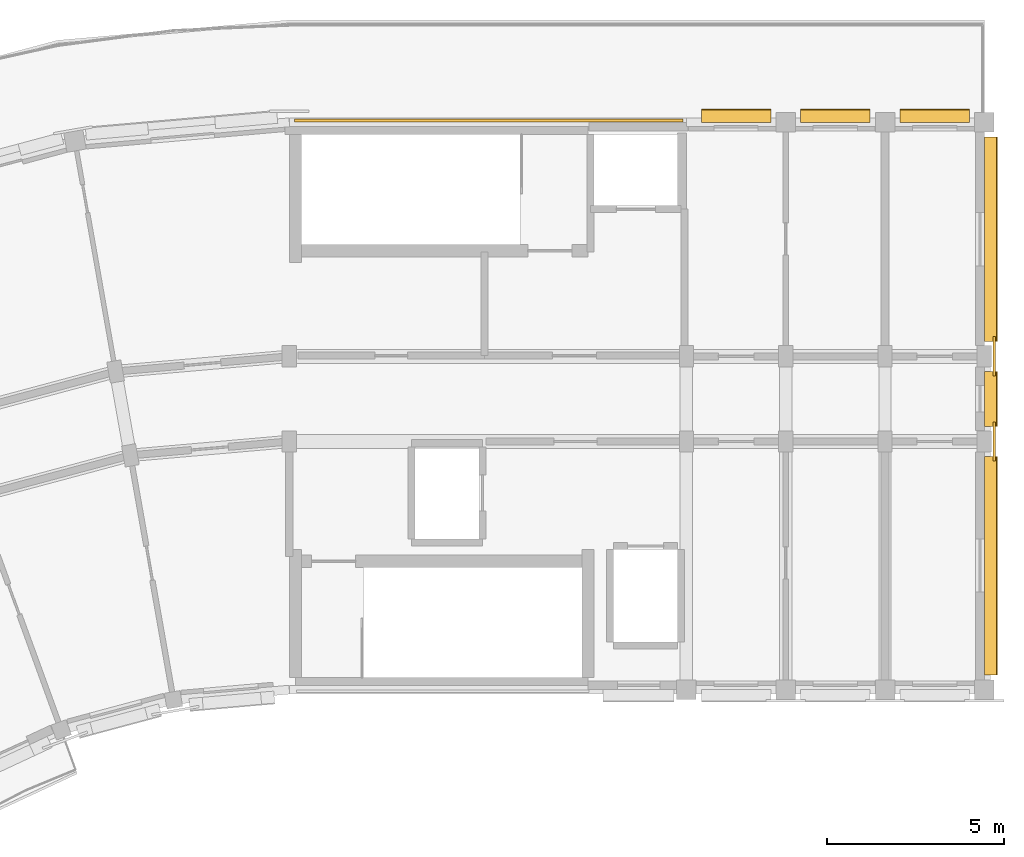
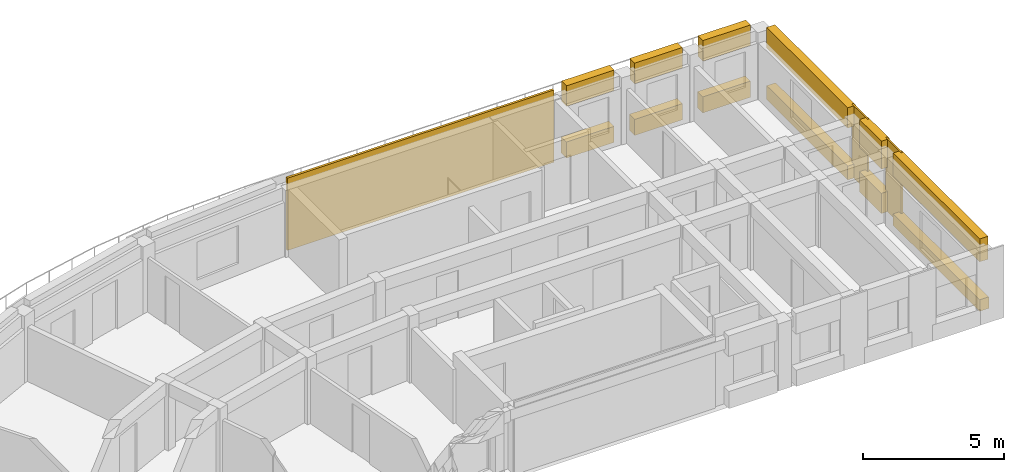
# One storey, part 14 of 14: 15 coverings.
"""IFC4 building model written with IfcOpenShell, lengths in metres."""

from ifc_helpers import new_model, si_unit, direction, frame, origin, place, context, subcontext, project, spatial, polyline, outline, extrude, material, layer, layer_set, type_object, element, save


model = new_model("IFC4")

# Units and contexts
model_context = context("Model", 3, precision=1e-05, world=origin(), true_north=direction((0.0, 1.0)))
body_context = subcontext(model_context, "Body", "Model", "MODEL_VIEW")
ifc_project = project(units=[si_unit("LENGTHUNIT", "METRE"), si_unit("AREAUNIT", "SQUARE_METRE"), si_unit("VOLUMEUNIT", "CUBIC_METRE"), si_unit("PLANEANGLEUNIT", "RADIAN"), si_unit("MASSUNIT", "GRAM", prefix="KILO")], contexts=[model_context])

# Site, building, storey
site_placement = place(None, origin())
site = spatial("IfcSite", under=ifc_project, at=site_placement, CompositionType="ELEMENT")
building_placement = place(site_placement, origin())
building = spatial("IfcBuilding", under=site, at=building_placement, Name="Kiranvali Square Residences", CompositionType="ELEMENT")
storey_placement = place(building_placement, frame((0.0, 0.0, 49.64990234375)))
storey = spatial("IfcBuildingStorey", under=building, at=storey_placement, Name="L15", CompositionType="ELEMENT", Elevation=49.64990234375)

# Coverings
ifc_material = material(Name="Honed Porbandar limestone ashlar facade cladding", Category="masonry")
ifc_layer_1 = layer(ifc_material, 0.06494140625)
ifc_layer_set_1 = layer_set([ifc_layer_1], Name="Honed Porbandar limestone ashlar facade cladding")
covering_type_1 = type_object("IfcCoveringType", Name="COV-CLAD-PIER", PredefinedType="CLADDING", material=ifc_layer_set_1)
covering_1_placement = place(storey_placement, frame((0.0, 0.0, 0.005126953125)))
element("IfcCovering", 1, at=covering_1_placement, inside=storey, type_object=covering_type_1, Name="Block A L15 upper core limestone ashlar cladding", PredefinedType="CLADDING", context=body_context, shape_type="SweptSolid", body=[
    extrude(outline(polyline([(48.35009765625, 122.60205078125), (59.300048828125, 122.60205078125), (59.300048828125, 122.699951171875), (48.35009765625, 122.699951171875), (48.35009765625, 122.60205078125)])), origin(), (0.0, 0.0, 1.0), 3.139892578125),
])
ifc_layer_2 = layer(ifc_material, 0.054931640625)
ifc_layer_set_2 = layer_set([ifc_layer_2], Name="Honed Porbandar limestone ashlar facade cladding")
covering_type_2 = type_object("IfcCoveringType", Name="COV-CLAD-PIER-UP", PredefinedType="CLADDING", material=ifc_layer_set_2)
covering_2_placement = place(storey_placement, frame((0.0, 0.0, 0.005126953125)))
element("IfcCovering", 2, at=covering_2_placement, inside=storey, type_object=covering_type_2, Name="L15 Classical limestone pilaster casing CLAD-PRA1E-A-L15-R258", PredefinedType="CLADDING", context=body_context, shape_type="SweptSolid", body=[
    extrude(outline(polyline([(68.117919921875, 113.044921875), (68.117919921875, 114.155029296875), (68.050537109375, 114.155029296875), (68.050537109375, 113.044921875), (68.117919921875, 113.044921875)])), origin(), (0.0, 0.0, 1.0), 3.139892578125),
])
covering_3_placement = place(storey_placement, frame((0.0, 0.0, 0.005126953125)))
element("IfcCovering", 3, at=covering_3_placement, inside=storey, type_object=covering_type_2, Name="L15 Classical limestone pilaster casing CLAD-PRA1E-A-L15-R282", PredefinedType="CLADDING", context=body_context, shape_type="SweptSolid", body=[
    extrude(outline(polyline([(68.117919921875, 115.445068359375), (68.117919921875, 116.554931640625), (68.050537109375, 116.554931640625), (68.050537109375, 115.445068359375), (68.117919921875, 115.445068359375)])), origin(), (0.0, 0.0, 1.0), 3.139892578125),
])
ifc_layer_3 = layer(ifc_material, 0.360107421875)
ifc_layer_set_3 = layer_set([ifc_layer_3], Name="Honed Porbandar limestone ashlar facade cladding")
covering_type_3 = type_object("IfcCoveringType", Name="COV-CLAD-WALL", PredefinedType="CLADDING", material=ifc_layer_set_3)
covering_4_placement = place(storey_placement, frame((0.0, 0.0, 2.252197265625)))
element("IfcCovering", 4, at=covering_4_placement, inside=storey, type_object=covering_type_3, Name="L15 light limestone spandrel lintel A-L15-A1TO-0", PredefinedType="CLADDING", context=body_context, shape_type="SweptSolid", body=[
    extrude(outline(polyline([(59.820068359375, 122.6005859375), (61.780029296875, 122.6005859375), (61.780029296875, 122.949951171875), (59.820068359375, 122.949951171875), (59.820068359375, 122.6005859375)])), origin(), (0.0, 0.0, 1.0), 0.892822265625),
])
covering_5_placement = place(storey_placement, frame((0.0, 0.0, 2.252197265625)))
element("IfcCovering", 5, at=covering_5_placement, inside=storey, type_object=covering_type_3, Name="L15 light limestone spandrel lintel A-L15-A1TO-1", PredefinedType="CLADDING", context=body_context, shape_type="SweptSolid", body=[
    extrude(outline(polyline([(62.6201171875, 122.6005859375), (64.580078125, 122.6005859375), (64.580078125, 122.949951171875), (62.6201171875, 122.949951171875), (62.6201171875, 122.6005859375)])), origin(), (0.0, 0.0, 1.0), 0.892822265625),
])
covering_6_placement = place(storey_placement, frame((0.0, 0.0, 2.252197265625)))
element("IfcCovering", 6, at=covering_6_placement, inside=storey, type_object=covering_type_3, Name="L15 light limestone spandrel lintel A-L15-A1TO-2", PredefinedType="CLADDING", context=body_context, shape_type="SweptSolid", body=[
    extrude(outline(polyline([(65.419921875, 122.6005859375), (67.3798828125, 122.6005859375), (67.3798828125, 122.949951171875), (65.419921875, 122.949951171875), (65.419921875, 122.6005859375)])), origin(), (0.0, 0.0, 1.0), 0.892822265625),
])
covering_7_placement = place(storey_placement, frame((0.0, 0.0, 2.152099609375)))
element("IfcCovering", 7, at=covering_7_placement, inside=storey, type_object=covering_type_3, Name="L15 light limestone spandrel lintel A-L15-A1END-0", PredefinedType="CLADDING", context=body_context, shape_type="SweptSolid", body=[
    extrude(outline(polyline([(68.139892578125, 107.02001953125), (68.139892578125, 113.179931640625), (67.800537109375, 113.179931640625), (67.800537109375, 107.02001953125), (68.139892578125, 107.02001953125)])), origin(), (0.0, 0.0, 1.0), 0.992919921875),
])
covering_8_placement = place(storey_placement, frame((0.0, 0.0, 1.93017578125)))
element("IfcCovering", 8, at=covering_8_placement, inside=storey, type_object=covering_type_3, Name="L15 light limestone spandrel lintel A-L15-A1END-1", PredefinedType="CLADDING", context=body_context, shape_type="SweptSolid", body=[
    extrude(outline(polyline([(68.139892578125, 114.02001953125), (68.139892578125, 115.580078125), (67.800537109375, 115.580078125), (67.800537109375, 114.02001953125), (68.139892578125, 114.02001953125)])), origin(), (0.0, 0.0, 1.0), 1.21484375),
])
covering_9_placement = place(storey_placement, frame((0.0, 0.0, 2.260009765625)))
element("IfcCovering", 9, at=covering_9_placement, inside=storey, type_object=covering_type_3, Name="L15 light limestone spandrel lintel A-L15-A1END-2", PredefinedType="CLADDING", context=body_context, shape_type="SweptSolid", body=[
    extrude(outline(polyline([(68.139892578125, 116.419921875), (68.139892578125, 122.179931640625), (67.800537109375, 122.179931640625), (67.800537109375, 116.419921875), (68.139892578125, 116.419921875)])), origin(), (0.0, 0.0, 1.0), 0.885009765625),
])
ifc_layer_4 = layer(ifc_material, 0.320068359375)
ifc_layer_set_4 = layer_set([ifc_layer_4], Name="Honed Porbandar limestone ashlar facade cladding")
covering_type_4 = type_object("IfcCoveringType", Name="COV-CLAD-WALL-UP", PredefinedType="CLADDING", material=ifc_layer_set_4)
covering_10_placement = place(storey_placement, frame((0.0, 0.0, 0.005126953125)))
element("IfcCovering", 10, at=covering_10_placement, inside=storey, type_object=covering_type_4, Name="L15 limestone window sill apron A-L15-A1TO-0", PredefinedType="CLADDING", context=body_context, shape_type="SweptSolid", body=[
    extrude(outline(polyline([(59.820068359375, 122.6005859375), (61.780029296875, 122.6005859375), (61.780029296875, 122.97998046875), (59.820068359375, 122.97998046875), (59.820068359375, 122.6005859375)])), origin(), (0.0, 0.0, 1.0), 0.697021484375),
])
covering_11_placement = place(storey_placement, frame((0.0, 0.0, 0.005126953125)))
element("IfcCovering", 11, at=covering_11_placement, inside=storey, type_object=covering_type_4, Name="L15 limestone window sill apron A-L15-A1TO-1", PredefinedType="CLADDING", context=body_context, shape_type="SweptSolid", body=[
    extrude(outline(polyline([(62.6201171875, 122.6005859375), (64.580078125, 122.6005859375), (64.580078125, 122.97998046875), (62.6201171875, 122.97998046875), (62.6201171875, 122.6005859375)])), origin(), (0.0, 0.0, 1.0), 0.697021484375),
])
covering_12_placement = place(storey_placement, frame((0.0, 0.0, 0.005126953125)))
element("IfcCovering", 12, at=covering_12_placement, inside=storey, type_object=covering_type_4, Name="L15 limestone window sill apron A-L15-A1TO-2", PredefinedType="CLADDING", context=body_context, shape_type="SweptSolid", body=[
    extrude(outline(polyline([(65.419921875, 122.6005859375), (67.3798828125, 122.6005859375), (67.3798828125, 122.97998046875), (65.419921875, 122.97998046875), (65.419921875, 122.6005859375)])), origin(), (0.0, 0.0, 1.0), 0.697021484375),
])
covering_13_placement = place(storey_placement, frame((0.0, 0.0, 0.005126953125)))
element("IfcCovering", 13, at=covering_13_placement, inside=storey, type_object=covering_type_4, Name="L15 limestone window sill apron A-L15-A1END-0", PredefinedType="CLADDING", context=body_context, shape_type="SweptSolid", body=[
    extrude(outline(polyline([(68.169921875, 107.02001953125), (68.169921875, 113.179931640625), (67.800537109375, 113.179931640625), (67.800537109375, 107.02001953125), (68.169921875, 107.02001953125)])), origin(), (0.0, 0.0, 1.0), 0.4970703125),
])
covering_14_placement = place(storey_placement, frame((0.0, 0.0, 0.005126953125)))
element("IfcCovering", 14, at=covering_14_placement, inside=storey, type_object=covering_type_4, Name="L15 limestone window sill apron A-L15-A1END-1", PredefinedType="CLADDING", context=body_context, shape_type="SweptSolid", body=[
    extrude(outline(polyline([(68.169921875, 114.02001953125), (68.169921875, 115.580078125), (67.800537109375, 115.580078125), (67.800537109375, 114.02001953125), (68.169921875, 114.02001953125)])), origin(), (0.0, 0.0, 1.0), 0.875),
])
covering_15_placement = place(storey_placement, frame((0.0, 0.0, 0.005126953125)))
element("IfcCovering", 15, at=covering_15_placement, inside=storey, type_object=covering_type_4, Name="L15 limestone window sill apron A-L15-A1END-2", PredefinedType="CLADDING", context=body_context, shape_type="SweptSolid", body=[
    extrude(outline(polyline([(68.169921875, 116.419921875), (68.169921875, 122.179931640625), (67.800537109375, 122.179931640625), (67.800537109375, 116.419921875), (68.169921875, 116.419921875)])), origin(), (0.0, 0.0, 1.0), 0.60498046875),
])

save(model, "model.ifc")
